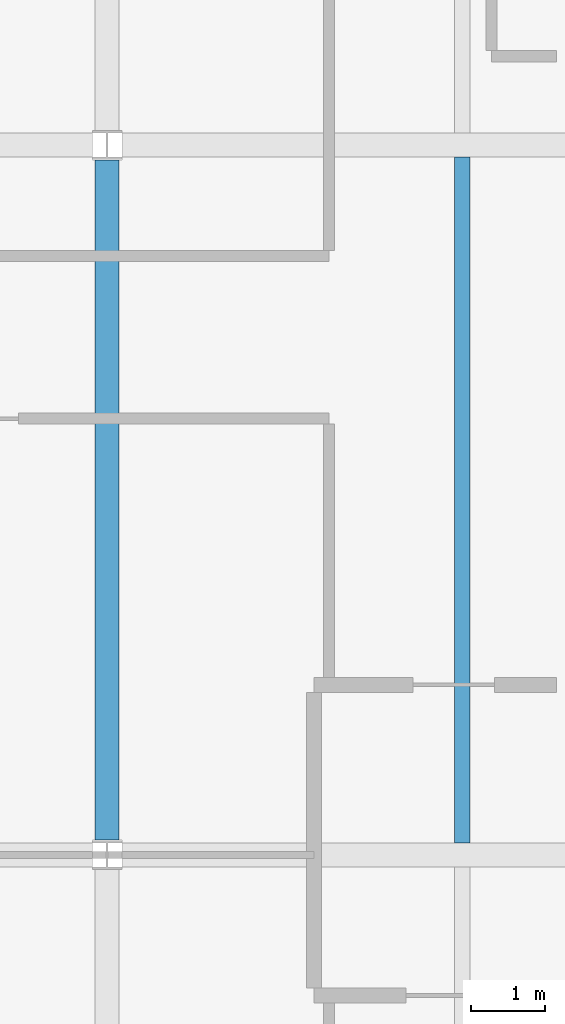
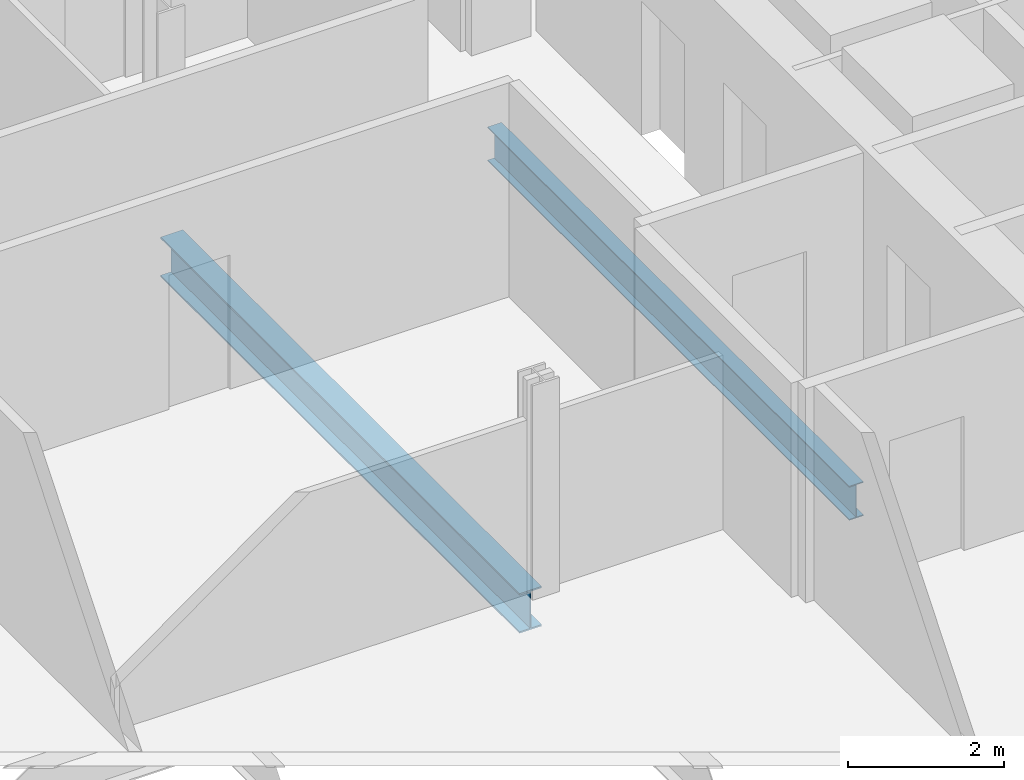
# One storey, part 5 of 16: 2 beams.
"""IFC4 building model written with IfcOpenShell, lengths in metres."""

from ifc_helpers import new_model, si_unit, direction, frame, origin, origin_2d, place, context, subcontext, project, spatial, i_section, extrude, material, material_profile, profile_set, type_object, element, save


model = new_model("IFC4")

# Units and contexts
model_context = context("Model", 3, precision=1e-05, world=origin(), true_north=direction((0.0, 1.0)))
body_context = subcontext(model_context, "Body", "Model", "MODEL_VIEW")
ifc_project = project(units=[si_unit("LENGTHUNIT", "METRE"), si_unit("AREAUNIT", "SQUARE_METRE"), si_unit("VOLUMEUNIT", "CUBIC_METRE"), si_unit("PLANEANGLEUNIT", "RADIAN"), si_unit("MASSUNIT", "GRAM", prefix="KILO")], contexts=[model_context])

# Site, building, storey
site_placement = place(None, origin())
site = spatial("IfcSite", under=ifc_project, at=site_placement, CompositionType="ELEMENT")
building_placement = place(site_placement, origin())
building = spatial("IfcBuilding", under=site, at=building_placement, Name="Cobrizo Arcos Hotel Tower", CompositionType="ELEMENT")
storey_placement = place(building_placement, frame((0.0, 0.0, 92.5)))
storey = spatial("IfcBuildingStorey", under=building, at=storey_placement, Name="L22", CompositionType="ELEMENT", Elevation=92.5)

# Beams
ifc_material = material(Name="Steel ASTM A992 Grade 50", Category="steel")
ifc_material_profile_1 = material_profile(ifc_material, i_section(OverallWidth=0.209228515625, OverallDepth=0.533447265625, WebThickness=0.01025390625, FlangeThickness=0.015625, at=origin_2d()), Name="W21X62")
ifc_profile_set_1 = profile_set([ifc_material_profile_1], Name="Steel ASTM A992 Grade 50")
beam_type_1 = type_object("IfcBeamType", Name="W21X62 joist", PredefinedType="JOIST", material=ifc_profile_set_1)
beam_1_placement = place(storey_placement, frame((14.39990234375, 0.163818359375, -0.416748046875), z_axis=(0.0, 1.0, 0.0), x_axis=(-1.0, 0.0, 0.0)))
element("IfcBeam", 1, at=beam_1_placement, inside=storey, type_object=beam_type_1, Name="Floor joist J1, L22, no. 017", PredefinedType="JOIST", context=body_context, shape_type="SweptSolid", body=[
    extrude(i_section(OverallWidth=0.209228515625, OverallDepth=0.533447265625, WebThickness=0.01025390625, FlangeThickness=0.015625, at=origin_2d()), origin(), (0.0, 0.0, 1.0), 9.272216796875),
])
ifc_material_profile_2 = material_profile(ifc_material, i_section(OverallWidth=0.32763671875, OverallDepth=0.622314453125, WebThickness=0.015380859375, FlangeThickness=0.0244140625, at=origin_2d()), Name="W24X131")
ifc_profile_set_2 = profile_set([ifc_material_profile_2], Name="Steel ASTM A992 Grade 50")
beam_type_2 = type_object("IfcBeamType", Name="W24X131 girder", PredefinedType="BEAM", material=ifc_profile_set_2)
beam_2_placement = place(storey_placement, frame((9.60009765625, 0.199462890625, -0.461181640625), z_axis=(0.0, 1.0, 0.0), x_axis=(-1.0, 0.0, 0.0)))
element("IfcBeam", 2, at=beam_2_placement, inside=storey, type_object=beam_type_2, Name="Floor girder G1, L22, no. 023", PredefinedType="BEAM", context=body_context, shape_type="SweptSolid", body=[
    extrude(i_section(OverallWidth=0.32763671875, OverallDepth=0.622314453125, WebThickness=0.015380859375, FlangeThickness=0.0244140625, at=origin_2d()), origin(), (0.0, 0.0, 1.0), 9.201171875),
])

save(model, "model.ifc")
